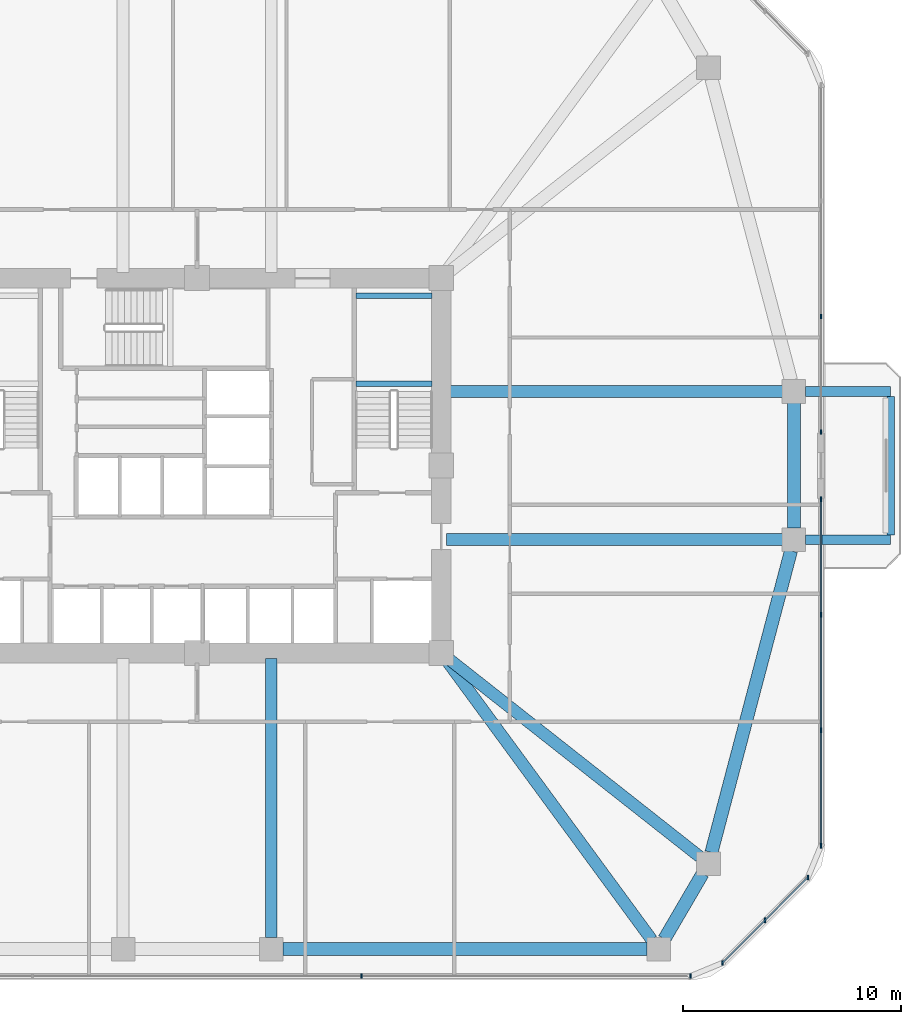
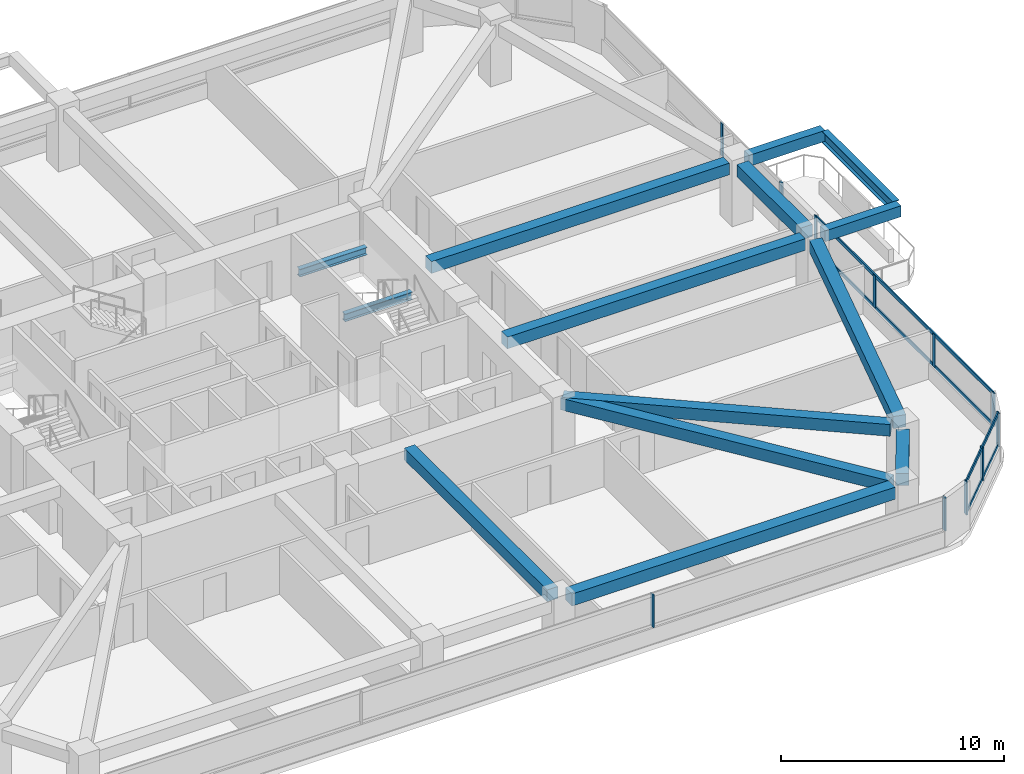
# One storey, part 5 of 15: 15 members, 14 beams, 4 elements without a shape of their own.
"""IFC4 building model written with IfcOpenShell, lengths in metres."""

from ifc_helpers import new_model, si_unit, derived_unit, direction, frame, origin, origin_2d, place, context, subcontext, project, spatial, rectangle, i_section, extrude, material, material_profile, profile_set, type_object, element, aggregate, save


model = new_model("IFC4")

# Units and contexts
model_context = context("Model", 3, precision=1e-05, world=origin(), true_north=direction((0.0, 1.0)))
body_context = subcontext(model_context, "Body", "Model", "MODEL_VIEW")
ifc_project = project(units=[si_unit("LENGTHUNIT", "METRE"), si_unit("AREAUNIT", "SQUARE_METRE"), si_unit("VOLUMEUNIT", "CUBIC_METRE"), si_unit("PLANEANGLEUNIT", "RADIAN"), si_unit("MASSUNIT", "GRAM", prefix="KILO"), derived_unit("THERMALTRANSMITTANCEUNIT", [(si_unit("POWERUNIT", "WATT"), 1), (si_unit("LENGTHUNIT", "METRE"), -2), (si_unit("THERMODYNAMICTEMPERATUREUNIT", "KELVIN"), -1)])], contexts=[model_context])

# Site, building, storey
site_placement = place(None, origin())
site = spatial("IfcSite", under=ifc_project, at=site_placement, CompositionType="ELEMENT")
building_placement = place(site_placement, origin())
building = spatial("IfcBuilding", under=site, at=building_placement, Name="Koralith Skygarden Medical Center", CompositionType="ELEMENT")
storey_placement = place(building_placement, frame((0.0, 0.0, 41.93994140625)))
storey = spatial("IfcBuildingStorey", under=building, at=storey_placement, Name="L10", CompositionType="ELEMENT", Elevation=41.93994140625)

# Curtain wall, members
ifc_material_1 = material(Name="Clear Laminated Glass", Category="glass")
curtain_wall_type = type_object("IfcCurtainWallType", Name="CW-2 Zone 1 Hurricane Unitised Curtain Wall", PredefinedType="NOTDEFINED", material=ifc_material_1)
curtain_wall_1_placement = place(storey_placement, origin())
curtain_wall_1 = element("IfcCurtainWall", 1, at=curtain_wall_1_placement, inside=storey, type_object=curtain_wall_type, Name="Curtain Wall CW-L10-S", PredefinedType="NOTDEFINED")
ifc_material_2 = material(Name="Aluminium 6063-T6", Category="aluminium")
ifc_material_profile_1 = material_profile(ifc_material_2, rectangle(XDim=0.071044921875, YDim=0.219970703125, at=origin_2d()), Name="MUL71X220")
ifc_profile_set_1 = profile_set([ifc_material_profile_1], Name="Aluminium 6063-T6")
member_type_1 = type_object("IfcMemberType", Name="CW-2 Extruded Mullion 71x220", PredefinedType="MULLION", material=ifc_profile_set_1)
member_1_placement = place(storey_placement, frame((44.548095703125, 2.47998046875, 0.85009765625), z_axis=(0.0, 0.0, 1.0), x_axis=(1.0, 0.0, 0.0)))
member_1 = element("IfcMember", 2, at=member_1_placement, type_object=member_type_1, Name="CW-L10-S Mullion 3", PredefinedType="MULLION", context=body_context, shape_type="SweptSolid", body=[
    extrude(rectangle(XDim=0.071044921875, YDim=0.219970703125, at=origin_2d()), origin(), (0.0, 0.0, 1.0), 1.800048828125),
])
member_2_placement = place(storey_placement, frame((59.64501953125, 2.47998046875, 0.85009765625), z_axis=(0.0, 0.0, 1.0), x_axis=(1.0, 0.0, 0.0)))
member_2 = element("IfcMember", 3, at=member_2_placement, type_object=member_type_1, Name="CW-L10-S Mullion 4", PredefinedType="MULLION", context=body_context, shape_type="SweptSolid", body=[
    extrude(rectangle(XDim=0.071044921875, YDim=0.219970703125, at=origin_2d()), origin(), (0.0, 0.0, 1.0), 1.800048828125),
])
aggregate(curtain_wall_1, [member_1, member_2])

curtain_wall_2_placement = place(storey_placement, origin())
curtain_wall_2 = element("IfcCurtainWall", 4, at=curtain_wall_2_placement, inside=storey, type_object=curtain_wall_type, Name="Curtain Wall CW-L10-SE", PredefinedType="NOTDEFINED")
member_3_placement = place(storey_placement, frame((61.095947265625, 3.0810546875, 0.85009765625), z_axis=(0.0, 0.0, 1.0), x_axis=(1.0, 0.0, 0.0)))
member_3 = element("IfcMember", 5, at=member_3_placement, type_object=member_type_1, Name="CW-L10-SE Mullion 1", PredefinedType="MULLION", context=body_context, shape_type="SweptSolid", body=[
    extrude(rectangle(XDim=0.071044921875, YDim=0.219970703125, at=origin_2d()), origin(), (0.0, 0.0, 1.0), 1.800048828125),
])
member_4_placement = place(storey_placement, frame((63.056884765625, 5.0419921875, 0.85009765625), z_axis=(0.0, 0.0, 1.0), x_axis=(1.0, 0.0, 0.0)))
member_4 = element("IfcMember", 6, at=member_4_placement, type_object=member_type_1, Name="CW-L10-SE Mullion 2", PredefinedType="MULLION", context=body_context, shape_type="SweptSolid", body=[
    extrude(rectangle(XDim=0.071044921875, YDim=0.219970703125, at=origin_2d()), origin(), (0.0, 0.0, 1.0), 1.800048828125),
])
member_5_placement = place(storey_placement, frame((65.01904296875, 7.00390625, 0.85009765625), z_axis=(0.0, 0.0, 1.0), x_axis=(1.0, 0.0, 0.0)))
member_5 = element("IfcMember", 7, at=member_5_placement, type_object=member_type_1, Name="CW-L10-SE Mullion 3", PredefinedType="MULLION", context=body_context, shape_type="SweptSolid", body=[
    extrude(rectangle(XDim=0.071044921875, YDim=0.219970703125, at=origin_2d()), origin(), (0.0, 0.0, 1.0), 1.800048828125),
])

curtain_wall_3_placement = place(storey_placement, origin())
curtain_wall_3 = element("IfcCurtainWall", 8, at=curtain_wall_3_placement, inside=storey, type_object=curtain_wall_type, Name="Curtain Wall CW-L10-E-L", PredefinedType="NOTDEFINED")
member_6_placement = place(storey_placement, frame((65.6201171875, 8.455078125, 0.85009765625), z_axis=(0.0, 0.0, 1.0), x_axis=(1.0, 0.0, 0.0)))
member_6 = element("IfcMember", 9, at=member_6_placement, type_object=member_type_1, Name="CW-L10-E-L Mullion 1", PredefinedType="MULLION", context=body_context, shape_type="SweptSolid", body=[
    extrude(rectangle(XDim=0.071044921875, YDim=0.219970703125, at=origin_2d()), origin(), (0.0, 0.0, 1.0), 1.800048828125),
])
member_7_placement = place(storey_placement, frame((65.6201171875, 13.757080078125, 0.85009765625), z_axis=(0.0, 0.0, 1.0), x_axis=(1.0, 0.0, 0.0)))
member_7 = element("IfcMember", 10, at=member_7_placement, type_object=member_type_1, Name="CW-L10-E-L Mullion 2", PredefinedType="MULLION", context=body_context, shape_type="SweptSolid", body=[
    extrude(rectangle(XDim=0.071044921875, YDim=0.219970703125, at=origin_2d()), origin(), (0.0, 0.0, 1.0), 1.800048828125),
])
member_8_placement = place(storey_placement, frame((65.6201171875, 19.05810546875, 0.85009765625), z_axis=(0.0, 0.0, 1.0), x_axis=(1.0, 0.0, 0.0)))
member_8 = element("IfcMember", 11, at=member_8_placement, type_object=member_type_1, Name="CW-L10-E-L Mullion 3", PredefinedType="MULLION", context=body_context, shape_type="SweptSolid", body=[
    extrude(rectangle(XDim=0.071044921875, YDim=0.219970703125, at=origin_2d()), origin(), (0.0, 0.0, 1.0), 1.800048828125),
])
member_9_placement = place(storey_placement, frame((65.6201171875, 24.360107421875, 0.85009765625), z_axis=(0.0, 0.0, 1.0), x_axis=(1.0, 0.0, 0.0)))
member_9 = element("IfcMember", 12, at=member_9_placement, type_object=member_type_1, Name="CW-L10-E-L Mullion 4", PredefinedType="MULLION", context=body_context, shape_type="SweptSolid", body=[
    extrude(rectangle(XDim=0.071044921875, YDim=0.219970703125, at=origin_2d()), origin(), (0.0, 0.0, 1.0), 1.800048828125),
])

curtain_wall_4_placement = place(storey_placement, origin())
curtain_wall_4 = element("IfcCurtainWall", 13, at=curtain_wall_4_placement, inside=storey, type_object=curtain_wall_type, Name="Curtain Wall CW-L10-E-R", PredefinedType="NOTDEFINED")
member_10_placement = place(storey_placement, frame((65.6201171875, 27.43994140625, 0.85009765625), z_axis=(0.0, 0.0, 1.0), x_axis=(1.0, 0.0, 0.0)))
member_10 = element("IfcMember", 14, at=member_10_placement, type_object=member_type_1, Name="CW-L10-E-R Mullion 1", PredefinedType="MULLION", context=body_context, shape_type="SweptSolid", body=[
    extrude(rectangle(XDim=0.071044921875, YDim=0.219970703125, at=origin_2d()), origin(), (0.0, 0.0, 1.0), 1.800048828125),
])
member_11_placement = place(storey_placement, frame((65.6201171875, 32.741943359375, 0.85009765625), z_axis=(0.0, 0.0, 1.0), x_axis=(1.0, 0.0, 0.0)))
member_11 = element("IfcMember", 15, at=member_11_placement, type_object=member_type_1, Name="CW-L10-E-R Mullion 2", PredefinedType="MULLION", context=body_context, shape_type="SweptSolid", body=[
    extrude(rectangle(XDim=0.071044921875, YDim=0.219970703125, at=origin_2d()), origin(), (0.0, 0.0, 1.0), 1.800048828125),
])
aggregate(curtain_wall_4, [member_10, member_11])

# Member
ifc_material_profile_2 = material_profile(ifc_material_2, rectangle(XDim=0.06591796875, YDim=0.197998046875, at=origin_2d()), Name="TRN66X198")
ifc_profile_set_2 = profile_set([ifc_material_profile_2], Name="Aluminium 6063-T6")
member_type_2 = type_object("IfcMemberType", Name="CW-2 Thermal Transom 66x198", PredefinedType="USERDEFINED", material=ifc_profile_set_2)
member_12_placement = place(storey_placement, frame((61.095947265625, 3.0810546875, 0.900146484375), z_axis=(0.707128783731, 0.707084777957, 0.0), x_axis=(-0.707084777957, 0.707128783731, 0.0)))
member_12 = element("IfcMember", 16, at=member_12_placement, type_object=member_type_2, Name="CW-L10-SE Transom 1", ObjectType="TRANSOM", PredefinedType="USERDEFINED", context=body_context, shape_type="SweptSolid", body=[
    extrude(rectangle(XDim=0.06591796875, YDim=0.197998046875, at=origin_2d()), origin(), (0.0, 0.0, 1.0), 5.5478515625),
])

member_13_placement = place(storey_placement, frame((61.095947265625, 3.0810546875, 2.60009765625), z_axis=(0.707128783731, 0.707084777957, 0.0), x_axis=(-0.707084777957, 0.707128783731, 0.0)))
member_13 = element("IfcMember", 17, at=member_13_placement, type_object=member_type_2, Name="CW-L10-SE Transom 2", ObjectType="TRANSOM", PredefinedType="USERDEFINED", context=body_context, shape_type="SweptSolid", body=[
    extrude(rectangle(XDim=0.06591796875, YDim=0.197998046875, at=origin_2d()), origin(), (0.0, 0.0, 1.0), 5.5478515625),
])

aggregate(curtain_wall_2, [member_3, member_4, member_5, member_12, member_13])

member_14_placement = place(storey_placement, frame((65.6201171875, 8.455078125, 0.900146484375), z_axis=(0.0, 1.0, 0.0), x_axis=(-1.0, 0.0, 0.0)))
member_14 = element("IfcMember", 18, at=member_14_placement, type_object=member_type_2, Name="CW-L10-E-L Transom 1", ObjectType="TRANSOM", PredefinedType="USERDEFINED", context=body_context, shape_type="SweptSolid", body=[
    extrude(rectangle(XDim=0.06591796875, YDim=0.197998046875, at=origin_2d()), origin(), (0.0, 0.0, 1.0), 15.905029296875),
])

member_15_placement = place(storey_placement, frame((65.6201171875, 8.455078125, 2.60009765625), z_axis=(0.0, 1.0, 0.0), x_axis=(-1.0, 0.0, 0.0)))
member_15 = element("IfcMember", 19, at=member_15_placement, type_object=member_type_2, Name="CW-L10-E-L Transom 2", ObjectType="TRANSOM", PredefinedType="USERDEFINED", context=body_context, shape_type="SweptSolid", body=[
    extrude(rectangle(XDim=0.06591796875, YDim=0.197998046875, at=origin_2d()), origin(), (0.0, 0.0, 1.0), 15.905029296875),
])

aggregate(curtain_wall_3, [member_6, member_7, member_8, member_9, member_14, member_15])

# Beams
ifc_material_3 = material(Name="Steel ASTM A992 Grade 50", Category="steel")
ifc_material_profile_3 = material_profile(ifc_material_3, i_section(OverallWidth=0.326904296875, OverallDepth=0.6220703125, WebThickness=0.015380859375, FlangeThickness=0.0244140625, at=origin_2d()), Name="W24X131")
ifc_profile_set_3 = profile_set([ifc_material_profile_3], Name="Steel ASTM A992 Grade 50")
beam_type_1 = type_object("IfcBeamType", Name="Cantilever Tie Beam W24X131", PredefinedType="BEAM", material=ifc_profile_set_3)
beam_1_placement = place(storey_placement, frame((68.820068359375, 22.719970703125, 3.029052734375), z_axis=(0.0, 1.0, 0.0), x_axis=(-1.0, 0.0, 0.0)))
element("IfcBeam", 20, at=beam_1_placement, inside=storey, type_object=beam_type_1, Name="L11 E Balcony Tip Tie Beam", PredefinedType="BEAM", context=body_context, shape_type="SweptSolid", body=[
    extrude(i_section(OverallWidth=0.326904296875, OverallDepth=0.6220703125, WebThickness=0.015380859375, FlangeThickness=0.0244140625, at=origin_2d()), origin(), (0.0, 0.0, 1.0), 6.360107421875),
])
ifc_material_profile_4 = material_profile(ifc_material_3, i_section(OverallWidth=0.260009765625, OverallDepth=0.4150390625, WebThickness=0.010009765625, FlangeThickness=0.016845703125, at=origin_2d()), Name="W16X67")
ifc_profile_set_4 = profile_set([ifc_material_profile_4], Name="Steel ASTM A992 Grade 50")
beam_type_2 = type_object("IfcBeamType", Name="Clinical Floor Joist W16X67", PredefinedType="JOIST", material=ifc_profile_set_4)
for number, where, z_axis, x_axis, name in (
    (21, (44.280029296875, 29.659912109375, 1.39208984375), (1.0, 0.0, 0.0), (0.0, 1.0, 0.0), "L10 Stair ST2 Half-Landing Support Beam 1A"),
    (22, (44.280029296875, 33.699951171875, 1.39208984375), (1.0, 0.0, 0.0), (0.0, 1.0, 0.0), "L10 Stair ST2 Half-Landing Support Beam 1B"),
):
    element("IfcBeam", number, at=place(storey_placement, frame(where, z_axis=z_axis, x_axis=x_axis)), inside=storey, type_object=beam_type_2, Name=name, PredefinedType="JOIST", context=body_context, shape_type="SweptSolid", body=[
        extrude(i_section(OverallWidth=0.260009765625, OverallDepth=0.4150390625, WebThickness=0.010009765625, FlangeThickness=0.016845703125, at=origin_2d()), origin(), (0.0, 0.0, 1.0), 3.489990234375),
    ])
ifc_material_4 = material(Name="Concrete C45/55", Category="concrete")
ifc_material_profile_5 = material_profile(ifc_material_4, rectangle(XDim=0.449951171875, YDim=0.60009765625, at=origin_2d()), Name="RCB450X600")
ifc_profile_set_5 = profile_set([ifc_material_profile_5], Name="Concrete C45/55")
beam_type_3 = type_object("IfcBeamType", Name="Planted Balcony Cantilever Beam RCB450X600", PredefinedType="BEAM", material=ifc_profile_set_5)
for number, where, z_axis, x_axis, name in (
    (23, (64.89990234375, 22.5, 3.0400390625), (1.0, 0.0, 0.0), (0.0, 1.0, 0.0), "L11 E Balcony Cantilever Beam A"),
    (24, (64.89990234375, 29.300048828125, 3.0400390625), (1.0, 0.0, 0.0), (0.0, 1.0, 0.0), "L11 E Balcony Cantilever Beam B"),
):
    element("IfcBeam", number, at=place(storey_placement, frame(where, z_axis=z_axis, x_axis=x_axis)), inside=storey, type_object=beam_type_3, Name=name, PredefinedType="BEAM", context=body_context, shape_type="SweptSolid", body=[
        extrude(rectangle(XDim=0.449951171875, YDim=0.60009765625, at=origin_2d()), origin(), (0.0, 0.0, 1.0), 3.920166015625),
    ])
ifc_material_profile_6 = material_profile(ifc_material_4, rectangle(XDim=0.550048828125, YDim=0.639892578125, at=origin_2d()), Name="RCB550X640")
ifc_profile_set_6 = profile_set([ifc_material_profile_6], Name="Concrete C45/55")
beam_type_4 = type_object("IfcBeamType", Name="Radial Collector Beam RCB550X640", PredefinedType="BEAM", material=ifc_profile_set_6)
beam_2_placement = place(storey_placement, frame((40.39990234375, 17.050048828125, 3.0), z_axis=(0.0, -1.0, 0.0), x_axis=(1.0, 0.0, 0.0)))
element("IfcBeam", 25, at=beam_2_placement, inside=storey, type_object=beam_type_4, Name="L10 Radial Collector Beam RB-05", PredefinedType="BEAM", context=body_context, shape_type="SweptSolid", body=[
    extrude(rectangle(XDim=0.550048828125, YDim=0.639892578125, at=origin_2d()), origin(), (0.0, 0.0, 1.0), 12.800048828125),
])
beam_3_placement = place(storey_placement, frame((48.347900390625, 17.097900390625, 3.0), z_axis=(0.591718052249, -0.806144991079, 0.0), x_axis=(0.806144991079, 0.591718052249, 0.0)))
element("IfcBeam", 26, at=beam_3_placement, inside=storey, type_object=beam_type_4, Name="L10 Radial Collector Beam RB-06", PredefinedType="BEAM", context=body_context, shape_type="SweptSolid", body=[
    extrude(rectangle(XDim=0.550048828125, YDim=0.639892578125, at=origin_2d()), origin(), (0.0, 0.0, 1.0), 16.065185546875),
])
beam_4_placement = place(storey_placement, frame((48.39599609375, 17.14501953125, 3.0), z_axis=(0.785497250365, -0.618865146594, 0.0), x_axis=(0.618865146594, 0.785497250365, 0.0)))
element("IfcBeam", 27, at=beam_4_placement, inside=storey, type_object=beam_type_4, Name="L10 Radial Collector Beam RB-07", PredefinedType="BEAM", context=body_context, shape_type="SweptSolid", body=[
    extrude(rectangle(XDim=0.550048828125, YDim=0.639892578125, at=origin_2d()), origin(), (0.0, 0.0, 1.0), 14.828857421875),
])
for number, where, z_axis, x_axis, name in (
    (28, (48.449951171875, 22.5, 3.0), (1.0, 0.0, 0.0), (0.0, 1.0, 0.0), "L10 Radial Collector Beam RB-08"),
    (29, (48.449951171875, 29.300048828125, 3.0), (1.0, 0.0, 0.0), (0.0, 1.0, 0.0), "L10 Radial Collector Beam RB-09"),
):
    element("IfcBeam", number, at=place(storey_placement, frame(where, z_axis=z_axis, x_axis=x_axis)), inside=storey, type_object=beam_type_4, Name=name, PredefinedType="BEAM", context=body_context, shape_type="SweptSolid", body=[
        extrude(rectangle(XDim=0.550048828125, YDim=0.639892578125, at=origin_2d()), origin(), (0.0, 0.0, 1.0), 15.400146484375),
    ])
ifc_material_profile_7 = material_profile(ifc_material_4, rectangle(XDim=0.60009765625, YDim=0.659912109375, at=origin_2d()), Name="RCB600X660")
ifc_profile_set_7 = profile_set([ifc_material_profile_7], Name="Concrete C45/55")
beam_type_5 = type_object("IfcBeamType", Name="Zone 1 Spandrel Beam RCB600X660", PredefinedType="SPANDREL", material=ifc_profile_set_7)
beam_5_placement = place(storey_placement, frame((40.929931640625, 3.719970703125, 2.989990234375), z_axis=(1.0, 0.0, 0.0), x_axis=(0.0, 1.0, 0.0)))
element("IfcBeam", 30, at=beam_5_placement, inside=storey, type_object=beam_type_5, Name="L10 Perimeter Spandrel Beam SP-05", PredefinedType="SPANDREL", context=body_context, shape_type="SweptSolid", body=[
    extrude(rectangle(XDim=0.60009765625, YDim=0.659912109375, at=origin_2d()), origin(), (0.0, 0.0, 1.0), 16.7080078125),
])
beam_6_placement = place(storey_placement, frame((58.43603515625, 4.177978515625, 2.989990234375), z_axis=(0.504638660636, 0.863330656349, 0.0), x_axis=(-0.863330656349, 0.504638660636, 0.0)))
element("IfcBeam", 31, at=beam_6_placement, inside=storey, type_object=beam_type_5, Name="L10 Perimeter Spandrel Beam SP-06", PredefinedType="SPANDREL", context=body_context, shape_type="SweptSolid", body=[
    extrude(rectangle(XDim=0.60009765625, YDim=0.659912109375, at=origin_2d()), origin(), (0.0, 0.0, 1.0), 3.4794921875),
])
beam_7_placement = place(storey_placement, frame((60.594970703125, 8.152099609375, 2.989990234375), z_axis=(0.255088684842, 0.966917660851, 0.0), x_axis=(-0.966917660851, 0.255088684842, 0.0)))
element("IfcBeam", 32, at=beam_7_placement, inside=storey, type_object=beam_type_5, Name="L10 Perimeter Spandrel Beam SP-07", PredefinedType="SPANDREL", context=body_context, shape_type="SweptSolid", body=[
    extrude(rectangle(XDim=0.60009765625, YDim=0.659912109375, at=origin_2d()), origin(), (0.0, 0.0, 1.0), 14.309326171875),
])
beam_8_placement = place(storey_placement, frame((64.3798828125, 23.030029296875, 2.989990234375), z_axis=(0.0, 1.0, 0.0), x_axis=(-1.0, 0.0, 0.0)))
element("IfcBeam", 33, at=beam_8_placement, inside=storey, type_object=beam_type_5, Name="L10 Perimeter Spandrel Beam SP-08", PredefinedType="SPANDREL", context=body_context, shape_type="SweptSolid", body=[
    extrude(rectangle(XDim=0.60009765625, YDim=0.659912109375, at=origin_2d()), origin(), (0.0, 0.0, 1.0), 5.739990234375),
])

save(model, "model.ifc")
